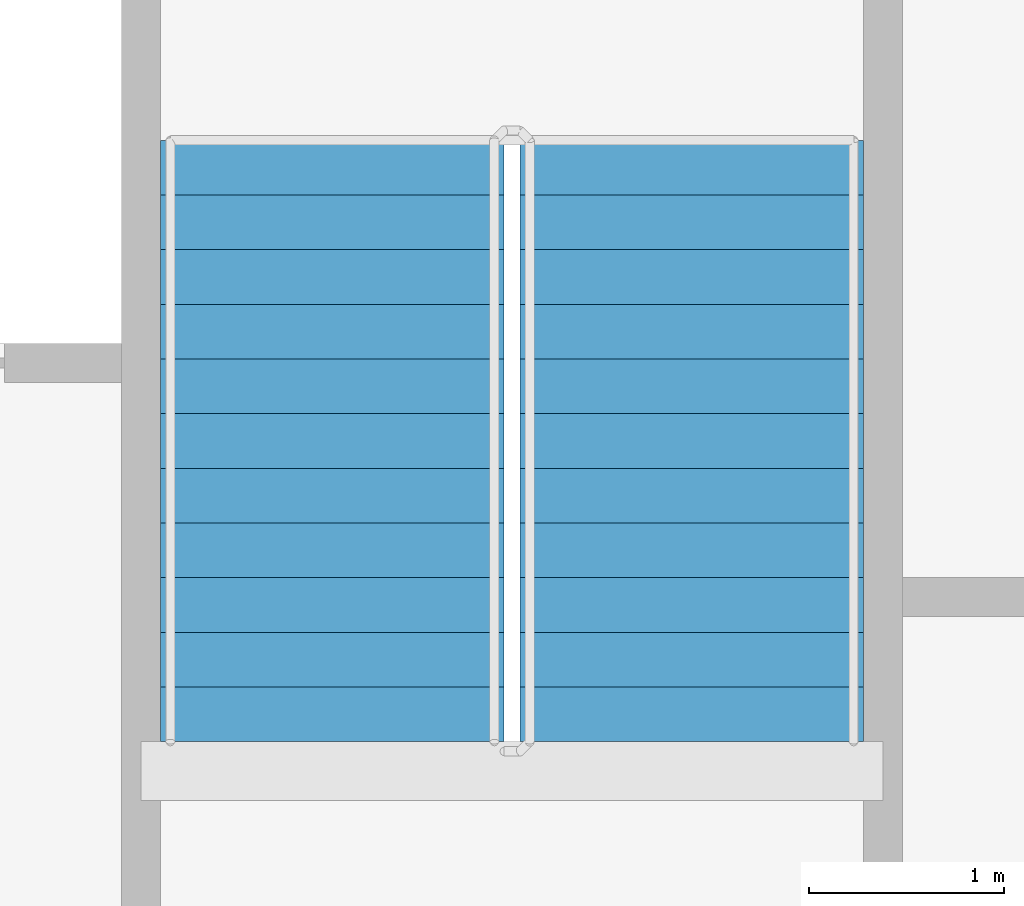
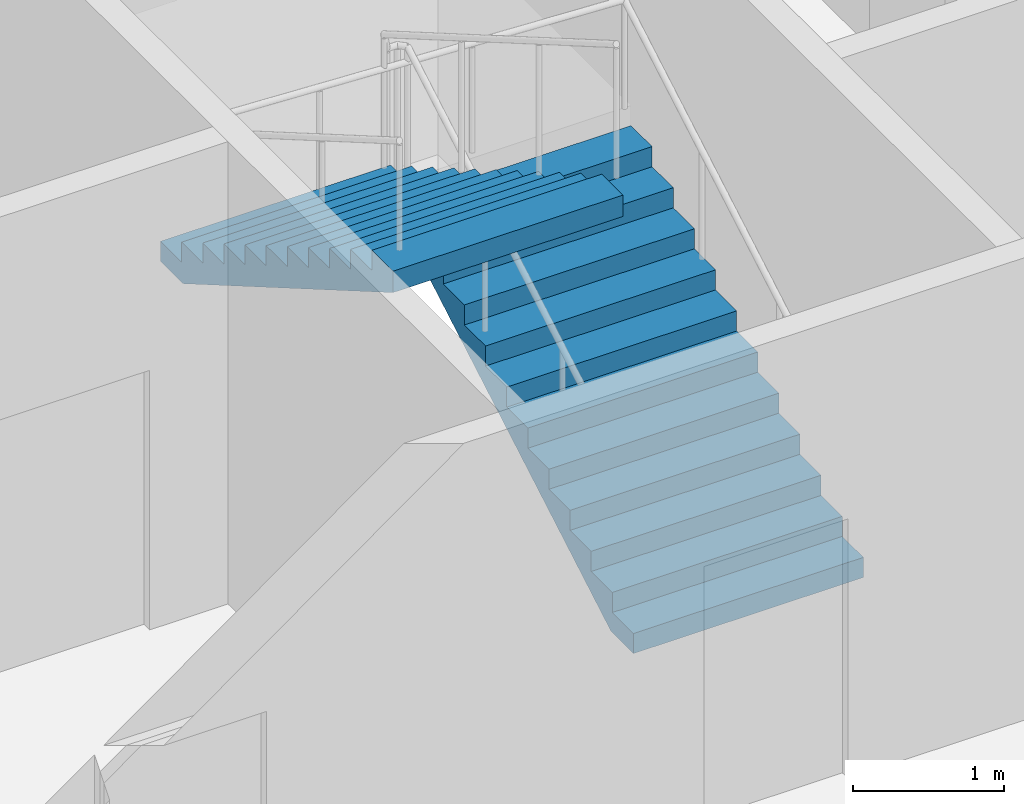
# One storey, part 16 of 21: 2 stair flights, 1 element without a shape of its own.
"""IFC4 building model written with IfcOpenShell, lengths in metres."""

from ifc_helpers import new_model, si_unit, direction, frame, origin, place, context, subcontext, project, spatial, faceted_brep, material, type_object, element, aggregate, save


model = new_model("IFC4")

# Units and contexts
model_context = context("Model", 3, precision=1e-05, world=origin(), true_north=direction((0.0, 1.0)))
body_context = subcontext(model_context, "Body", "Model", "MODEL_VIEW")
ifc_project = project(units=[si_unit("LENGTHUNIT", "METRE"), si_unit("AREAUNIT", "SQUARE_METRE"), si_unit("VOLUMEUNIT", "CUBIC_METRE"), si_unit("PLANEANGLEUNIT", "RADIAN"), si_unit("MASSUNIT", "GRAM", prefix="KILO")], contexts=[model_context])

# Site, building, storey
site_placement = place(None, origin())
site = spatial("IfcSite", under=ifc_project, at=site_placement, CompositionType="ELEMENT")
building_placement = place(site_placement, origin())
building = spatial("IfcBuilding", under=site, at=building_placement, Name="Tarsis Ring Headquarters", CompositionType="ELEMENT")
storey_placement = place(building_placement, frame((0.0, 0.0, 208.199951171875)))
storey = spatial("IfcBuildingStorey", under=building, at=storey_placement, Name="L48", CompositionType="ELEMENT", Elevation=208.199951171875)

# Stair, stair flights
ifc_material_1 = material(Name="Core stair 1760")
stair_type = type_object("IfcStairType", Name="Core stair 1760", PredefinedType="HALF_TURN_STAIR", material=ifc_material_1)
stair_placement = place(storey_placement, origin())
stair = element("IfcStair", 1, at=stair_placement, inside=storey, type_object=stair_type, Name="L48 Exit stair B", PredefinedType="HALF_TURN_STAIR")
ifc_material_2 = material(Name="Concrete C40/50", Category="concrete")
stair_flight_type = type_object("IfcStairFlightType", Name="Core stair flight 1760", PredefinedType="STRAIGHT", material=ifc_material_2)
stair_flight_1_placement = place(storey_placement, frame((5.419921875, 3.659912109375, 0.0), z_axis=(0.0, 0.0, 1.0), x_axis=(0.0, 1.0, 0.0)))
stair_flight_1 = element("IfcStairFlight", 2, at=stair_flight_1_placement, type_object=stair_flight_type, Name="Stair ST2 flight 1", NumberOfRisers=12, NumberOfTreads=11, PredefinedType="STRAIGHT", RiserHeight=0.1625, TreadLength=0.28, context=body_context, shape_type="Brep", body=[
    faceted_brep([(0.0, 0.8798828125, 0.0), (0.0, 0.8798828125, 0.16259765625), (0.280029296875, 0.8798828125, 0.16259765625), (0.280029296875, 0.8798828125, 0.324951171875), (0.56005859375, 0.8798828125, 0.324951171875), (0.56005859375, 0.8798828125, 0.487548828125), (0.840087890625, 0.8798828125, 0.487548828125), (0.840087890625, 0.8798828125, 0.64990234375), (1.1201171875, 0.8798828125, 0.64990234375), (1.1201171875, 0.8798828125, 0.8125), (1.39990234375, 0.8798828125, 0.8125), (1.39990234375, 0.8798828125, 0.97509765625), (1.679931640625, 0.8798828125, 0.97509765625), (1.679931640625, 0.8798828125, 1.137451171875), (1.9599609375, 0.8798828125, 1.137451171875), (1.9599609375, 0.8798828125, 1.300048828125), (2.239990234375, 0.8798828125, 1.300048828125), (2.239990234375, 0.8798828125, 1.46240234375), (2.52001953125, 0.8798828125, 1.46240234375), (2.52001953125, 0.8798828125, 1.625), (2.800048828125, 0.8798828125, 1.625), (2.800048828125, 0.8798828125, 1.78759765625), (3.080078125, 0.8798828125, 1.78759765625), (3.080078125, 0.8798828125, 1.6142578125), (0.298583984375, 0.8798828125, 0.0), (0.298583984375, -0.8798828125, 0.0), (3.080078125, -0.8798828125, 1.6142578125), (3.080078125, -0.8798828125, 1.78759765625), (2.800048828125, -0.8798828125, 1.78759765625), (2.800048828125, -0.8798828125, 1.625), (2.52001953125, -0.8798828125, 1.625), (2.52001953125, -0.8798828125, 1.46240234375), (2.239990234375, -0.8798828125, 1.46240234375), (2.239990234375, -0.8798828125, 1.300048828125), (1.9599609375, -0.8798828125, 1.300048828125), (1.9599609375, -0.8798828125, 1.137451171875), (1.679931640625, -0.8798828125, 1.137451171875), (1.679931640625, -0.8798828125, 0.97509765625), (1.39990234375, -0.8798828125, 0.97509765625), (1.39990234375, -0.8798828125, 0.8125), (1.1201171875, -0.8798828125, 0.8125), (1.1201171875, -0.8798828125, 0.64990234375), (0.840087890625, -0.8798828125, 0.64990234375), (0.840087890625, -0.8798828125, 0.487548828125), (0.56005859375, -0.8798828125, 0.487548828125), (0.56005859375, -0.8798828125, 0.324951171875), (0.280029296875, -0.8798828125, 0.324951171875), (0.280029296875, -0.8798828125, 0.16259765625), (0.0, -0.8798828125, 0.16259765625), (0.0, -0.8798828125, 0.0), (0.0, -0.43994140625, 0.16259765625), (0.0, -0.43994140625, 0.0), (0.0, 0.0, 0.16259765625), (0.0, 0.0, 0.0), (0.0, 0.43994140625, 0.16259765625), (0.0, 0.43994140625, 0.0), (0.280029296875, -0.43994140625, 0.16259765625), (0.280029296875, 0.0, 0.16259765625), (0.280029296875, 0.43994140625, 0.16259765625), (0.280029296875, -0.43994140625, 0.324951171875), (0.280029296875, 0.0, 0.324951171875), (0.280029296875, 0.43994140625, 0.324951171875), (0.56005859375, -0.43994140625, 0.324951171875), (0.56005859375, 0.0, 0.324951171875), (0.56005859375, 0.43994140625, 0.324951171875), (0.56005859375, -0.43994140625, 0.487548828125), (0.56005859375, 0.0, 0.487548828125), (0.56005859375, 0.43994140625, 0.487548828125), (0.840087890625, -0.43994140625, 0.487548828125), (0.840087890625, 0.0, 0.487548828125), (0.840087890625, 0.43994140625, 0.487548828125), (0.840087890625, -0.43994140625, 0.64990234375), (0.840087890625, 0.0, 0.64990234375), (0.840087890625, 0.43994140625, 0.64990234375), (1.1201171875, -0.43994140625, 0.64990234375), (1.1201171875, 0.0, 0.64990234375), (1.1201171875, 0.43994140625, 0.64990234375), (1.1201171875, -0.43994140625, 0.8125), (1.1201171875, 0.0, 0.8125), (1.1201171875, 0.43994140625, 0.8125), (1.39990234375, -0.43994140625, 0.8125), (1.39990234375, 0.0, 0.8125), (1.39990234375, 0.43994140625, 0.8125), (1.39990234375, -0.43994140625, 0.97509765625), (1.39990234375, 0.0, 0.97509765625), (1.39990234375, 0.43994140625, 0.97509765625), (1.679931640625, -0.43994140625, 0.97509765625), (1.679931640625, 0.0, 0.97509765625), (1.679931640625, 0.43994140625, 0.97509765625), (1.679931640625, -0.43994140625, 1.137451171875), (1.679931640625, 0.0, 1.137451171875), (1.679931640625, 0.43994140625, 1.137451171875), (1.9599609375, -0.43994140625, 1.137451171875), (1.9599609375, 0.0, 1.137451171875), (1.9599609375, 0.43994140625, 1.137451171875), (1.9599609375, -0.43994140625, 1.300048828125), (1.9599609375, 0.0, 1.300048828125), (1.9599609375, 0.43994140625, 1.300048828125), (2.239990234375, -0.43994140625, 1.300048828125), (2.239990234375, 0.0, 1.300048828125), (2.239990234375, 0.43994140625, 1.300048828125), (2.239990234375, -0.43994140625, 1.46240234375), (2.239990234375, 0.0, 1.46240234375), (2.239990234375, 0.43994140625, 1.46240234375), (2.52001953125, -0.43994140625, 1.46240234375), (2.52001953125, 0.0, 1.46240234375), (2.52001953125, 0.43994140625, 1.46240234375), (2.52001953125, -0.43994140625, 1.625), (2.52001953125, 0.0, 1.625), (2.52001953125, 0.43994140625, 1.625), (2.800048828125, -0.43994140625, 1.625), (2.800048828125, 0.0, 1.625), (2.800048828125, 0.43994140625, 1.625), (2.800048828125, -0.43994140625, 1.78759765625), (2.800048828125, 0.0, 1.78759765625), (2.800048828125, 0.43994140625, 1.78759765625), (3.080078125, -0.43994140625, 1.78759765625), (3.080078125, 0.0, 1.78759765625), (3.080078125, 0.43994140625, 1.78759765625), (3.080078125, -0.43994140625, 1.6142578125), (3.080078125, 0.0, 1.6142578125), (3.080078125, 0.43994140625, 1.6142578125), (0.298583984375, -0.43994140625, 0.0), (0.298583984375, 0.0, 0.0), (0.298583984375, 0.43994140625, 0.0)], [[[0, 1, 2, 3, 4, 5, 6, 7, 8, 9, 10, 11, 12, 13, 14, 15, 16, 17, 18, 19, 20, 21, 22, 23, 24]], [[25, 26, 27, 28, 29, 30, 31, 32, 33, 34, 35, 36, 37, 38, 39, 40, 41, 42, 43, 44, 45, 46, 47, 48, 49]], [[49, 48, 50, 51]], [[51, 50, 52, 53]], [[53, 52, 54, 55]], [[55, 54, 1, 0]], [[48, 47, 56, 50]], [[50, 56, 57, 52]], [[52, 57, 58, 54]], [[54, 58, 2, 1]], [[47, 46, 59, 56]], [[56, 59, 60, 57]], [[57, 60, 61, 58]], [[58, 61, 3, 2]], [[46, 45, 62, 59]], [[59, 62, 63, 60]], [[60, 63, 64, 61]], [[61, 64, 4, 3]], [[45, 44, 65, 62]], [[62, 65, 66, 63]], [[63, 66, 67, 64]], [[64, 67, 5, 4]], [[44, 43, 68, 65]], [[65, 68, 69, 66]], [[66, 69, 70, 67]], [[67, 70, 6, 5]], [[43, 42, 71, 68]], [[68, 71, 72, 69]], [[69, 72, 73, 70]], [[70, 73, 7, 6]], [[42, 41, 74, 71]], [[71, 74, 75, 72]], [[72, 75, 76, 73]], [[73, 76, 8, 7]], [[41, 40, 77, 74]], [[74, 77, 78, 75]], [[75, 78, 79, 76]], [[76, 79, 9, 8]], [[40, 39, 80, 77]], [[77, 80, 81, 78]], [[78, 81, 82, 79]], [[79, 82, 10, 9]], [[39, 38, 83, 80]], [[80, 83, 84, 81]], [[81, 84, 85, 82]], [[82, 85, 11, 10]], [[38, 37, 86, 83]], [[83, 86, 87, 84]], [[84, 87, 88, 85]], [[85, 88, 12, 11]], [[37, 36, 89, 86]], [[86, 89, 90, 87]], [[87, 90, 91, 88]], [[88, 91, 13, 12]], [[36, 35, 92, 89]], [[89, 92, 93, 90]], [[90, 93, 94, 91]], [[91, 94, 14, 13]], [[35, 34, 95, 92]], [[92, 95, 96, 93]], [[93, 96, 97, 94]], [[94, 97, 15, 14]], [[34, 33, 98, 95]], [[95, 98, 99, 96]], [[96, 99, 100, 97]], [[97, 100, 16, 15]], [[33, 32, 101, 98]], [[98, 101, 102, 99]], [[99, 102, 103, 100]], [[100, 103, 17, 16]], [[32, 31, 104, 101]], [[101, 104, 105, 102]], [[102, 105, 106, 103]], [[103, 106, 18, 17]], [[31, 30, 107, 104]], [[104, 107, 108, 105]], [[105, 108, 109, 106]], [[106, 109, 19, 18]], [[30, 29, 110, 107]], [[107, 110, 111, 108]], [[108, 111, 112, 109]], [[109, 112, 20, 19]], [[29, 28, 113, 110]], [[110, 113, 114, 111]], [[111, 114, 115, 112]], [[112, 115, 21, 20]], [[28, 27, 116, 113]], [[113, 116, 117, 114]], [[114, 117, 118, 115]], [[115, 118, 22, 21]], [[27, 26, 119, 116]], [[116, 119, 120, 117]], [[117, 120, 121, 118]], [[118, 121, 23, 22]], [[26, 25, 122, 119]], [[119, 122, 123, 120]], [[120, 123, 124, 121]], [[121, 124, 24, 23]], [[25, 49, 51, 122]], [[122, 51, 53, 123]], [[123, 53, 55, 124]], [[124, 55, 0, 24]]]),
])
stair_flight_2_placement = place(storey_placement, frame((3.580078125, 6.739990234375, 1.949951171875), z_axis=(0.0, 0.0, 1.0), x_axis=(0.0, -1.0, 0.0)))
stair_flight_2 = element("IfcStairFlight", 3, at=stair_flight_2_placement, type_object=stair_flight_type, Name="Stair ST2 flight 2", NumberOfRisers=12, NumberOfTreads=11, PredefinedType="STRAIGHT", RiserHeight=0.1625, TreadLength=0.28, context=body_context, shape_type="Brep", body=[
    faceted_brep([(0.0, 0.8798828125, 0.0), (0.0, 0.8798828125, 0.16259765625), (0.280029296875, 0.8798828125, 0.16259765625), (0.280029296875, 0.8798828125, 0.324951171875), (0.56005859375, 0.8798828125, 0.324951171875), (0.56005859375, 0.8798828125, 0.487548828125), (0.840087890625, 0.8798828125, 0.487548828125), (0.840087890625, 0.8798828125, 0.64990234375), (1.1201171875, 0.8798828125, 0.64990234375), (1.1201171875, 0.8798828125, 0.8125), (1.39990234375, 0.8798828125, 0.8125), (1.39990234375, 0.8798828125, 0.97509765625), (1.679931640625, 0.8798828125, 0.97509765625), (1.679931640625, 0.8798828125, 1.137451171875), (1.9599609375, 0.8798828125, 1.137451171875), (1.9599609375, 0.8798828125, 1.300048828125), (2.239990234375, 0.8798828125, 1.300048828125), (2.239990234375, 0.8798828125, 1.46240234375), (2.52001953125, 0.8798828125, 1.46240234375), (2.52001953125, 0.8798828125, 1.625), (2.800048828125, 0.8798828125, 1.625), (2.800048828125, 0.8798828125, 1.78759765625), (3.080078125, 0.8798828125, 1.78759765625), (3.080078125, 0.8798828125, 1.6142578125), (0.298583984375, 0.8798828125, 0.0), (0.298583984375, -0.8798828125, 0.0), (3.080078125, -0.8798828125, 1.6142578125), (3.080078125, -0.8798828125, 1.78759765625), (2.800048828125, -0.8798828125, 1.78759765625), (2.800048828125, -0.8798828125, 1.625), (2.52001953125, -0.8798828125, 1.625), (2.52001953125, -0.8798828125, 1.46240234375), (2.239990234375, -0.8798828125, 1.46240234375), (2.239990234375, -0.8798828125, 1.300048828125), (1.9599609375, -0.8798828125, 1.300048828125), (1.9599609375, -0.8798828125, 1.137451171875), (1.679931640625, -0.8798828125, 1.137451171875), (1.679931640625, -0.8798828125, 0.97509765625), (1.39990234375, -0.8798828125, 0.97509765625), (1.39990234375, -0.8798828125, 0.8125), (1.1201171875, -0.8798828125, 0.8125), (1.1201171875, -0.8798828125, 0.64990234375), (0.840087890625, -0.8798828125, 0.64990234375), (0.840087890625, -0.8798828125, 0.487548828125), (0.56005859375, -0.8798828125, 0.487548828125), (0.56005859375, -0.8798828125, 0.324951171875), (0.280029296875, -0.8798828125, 0.324951171875), (0.280029296875, -0.8798828125, 0.16259765625), (0.0, -0.8798828125, 0.16259765625), (0.0, -0.8798828125, 0.0), (0.0, -0.43994140625, 0.16259765625), (0.0, -0.43994140625, 0.0), (0.0, 0.0, 0.16259765625), (0.0, 0.0, 0.0), (0.0, 0.43994140625, 0.16259765625), (0.0, 0.43994140625, 0.0), (0.280029296875, -0.43994140625, 0.16259765625), (0.280029296875, 0.0, 0.16259765625), (0.280029296875, 0.43994140625, 0.16259765625), (0.280029296875, -0.43994140625, 0.324951171875), (0.280029296875, 0.0, 0.324951171875), (0.280029296875, 0.43994140625, 0.324951171875), (0.56005859375, -0.43994140625, 0.324951171875), (0.56005859375, 0.0, 0.324951171875), (0.56005859375, 0.43994140625, 0.324951171875), (0.56005859375, -0.43994140625, 0.487548828125), (0.56005859375, 0.0, 0.487548828125), (0.56005859375, 0.43994140625, 0.487548828125), (0.840087890625, -0.43994140625, 0.487548828125), (0.840087890625, 0.0, 0.487548828125), (0.840087890625, 0.43994140625, 0.487548828125), (0.840087890625, -0.43994140625, 0.64990234375), (0.840087890625, 0.0, 0.64990234375), (0.840087890625, 0.43994140625, 0.64990234375), (1.1201171875, -0.43994140625, 0.64990234375), (1.1201171875, 0.0, 0.64990234375), (1.1201171875, 0.43994140625, 0.64990234375), (1.1201171875, -0.43994140625, 0.8125), (1.1201171875, 0.0, 0.8125), (1.1201171875, 0.43994140625, 0.8125), (1.39990234375, -0.43994140625, 0.8125), (1.39990234375, 0.0, 0.8125), (1.39990234375, 0.43994140625, 0.8125), (1.39990234375, -0.43994140625, 0.97509765625), (1.39990234375, 0.0, 0.97509765625), (1.39990234375, 0.43994140625, 0.97509765625), (1.679931640625, -0.43994140625, 0.97509765625), (1.679931640625, 0.0, 0.97509765625), (1.679931640625, 0.43994140625, 0.97509765625), (1.679931640625, -0.43994140625, 1.137451171875), (1.679931640625, 0.0, 1.137451171875), (1.679931640625, 0.43994140625, 1.137451171875), (1.9599609375, -0.43994140625, 1.137451171875), (1.9599609375, 0.0, 1.137451171875), (1.9599609375, 0.43994140625, 1.137451171875), (1.9599609375, -0.43994140625, 1.300048828125), (1.9599609375, 0.0, 1.300048828125), (1.9599609375, 0.43994140625, 1.300048828125), (2.239990234375, -0.43994140625, 1.300048828125), (2.239990234375, 0.0, 1.300048828125), (2.239990234375, 0.43994140625, 1.300048828125), (2.239990234375, -0.43994140625, 1.46240234375), (2.239990234375, 0.0, 1.46240234375), (2.239990234375, 0.43994140625, 1.46240234375), (2.52001953125, -0.43994140625, 1.46240234375), (2.52001953125, 0.0, 1.46240234375), (2.52001953125, 0.43994140625, 1.46240234375), (2.52001953125, -0.43994140625, 1.625), (2.52001953125, 0.0, 1.625), (2.52001953125, 0.43994140625, 1.625), (2.800048828125, -0.43994140625, 1.625), (2.800048828125, 0.0, 1.625), (2.800048828125, 0.43994140625, 1.625), (2.800048828125, -0.43994140625, 1.78759765625), (2.800048828125, 0.0, 1.78759765625), (2.800048828125, 0.43994140625, 1.78759765625), (3.080078125, -0.43994140625, 1.78759765625), (3.080078125, 0.0, 1.78759765625), (3.080078125, 0.43994140625, 1.78759765625), (3.080078125, -0.43994140625, 1.6142578125), (3.080078125, 0.0, 1.6142578125), (3.080078125, 0.43994140625, 1.6142578125), (0.298583984375, -0.43994140625, 0.0), (0.298583984375, 0.0, 0.0), (0.298583984375, 0.43994140625, 0.0)], [[[0, 1, 2, 3, 4, 5, 6, 7, 8, 9, 10, 11, 12, 13, 14, 15, 16, 17, 18, 19, 20, 21, 22, 23, 24]], [[25, 26, 27, 28, 29, 30, 31, 32, 33, 34, 35, 36, 37, 38, 39, 40, 41, 42, 43, 44, 45, 46, 47, 48, 49]], [[49, 48, 50, 51]], [[51, 50, 52, 53]], [[53, 52, 54, 55]], [[55, 54, 1, 0]], [[48, 47, 56, 50]], [[50, 56, 57, 52]], [[52, 57, 58, 54]], [[54, 58, 2, 1]], [[47, 46, 59, 56]], [[56, 59, 60, 57]], [[57, 60, 61, 58]], [[58, 61, 3, 2]], [[46, 45, 62, 59]], [[59, 62, 63, 60]], [[60, 63, 64, 61]], [[61, 64, 4, 3]], [[45, 44, 65, 62]], [[62, 65, 66, 63]], [[63, 66, 67, 64]], [[64, 67, 5, 4]], [[44, 43, 68, 65]], [[65, 68, 69, 66]], [[66, 69, 70, 67]], [[67, 70, 6, 5]], [[43, 42, 71, 68]], [[68, 71, 72, 69]], [[69, 72, 73, 70]], [[70, 73, 7, 6]], [[42, 41, 74, 71]], [[71, 74, 75, 72]], [[72, 75, 76, 73]], [[73, 76, 8, 7]], [[41, 40, 77, 74]], [[74, 77, 78, 75]], [[75, 78, 79, 76]], [[76, 79, 9, 8]], [[40, 39, 80, 77]], [[77, 80, 81, 78]], [[78, 81, 82, 79]], [[79, 82, 10, 9]], [[39, 38, 83, 80]], [[80, 83, 84, 81]], [[81, 84, 85, 82]], [[82, 85, 11, 10]], [[38, 37, 86, 83]], [[83, 86, 87, 84]], [[84, 87, 88, 85]], [[85, 88, 12, 11]], [[37, 36, 89, 86]], [[86, 89, 90, 87]], [[87, 90, 91, 88]], [[88, 91, 13, 12]], [[36, 35, 92, 89]], [[89, 92, 93, 90]], [[90, 93, 94, 91]], [[91, 94, 14, 13]], [[35, 34, 95, 92]], [[92, 95, 96, 93]], [[93, 96, 97, 94]], [[94, 97, 15, 14]], [[34, 33, 98, 95]], [[95, 98, 99, 96]], [[96, 99, 100, 97]], [[97, 100, 16, 15]], [[33, 32, 101, 98]], [[98, 101, 102, 99]], [[99, 102, 103, 100]], [[100, 103, 17, 16]], [[32, 31, 104, 101]], [[101, 104, 105, 102]], [[102, 105, 106, 103]], [[103, 106, 18, 17]], [[31, 30, 107, 104]], [[104, 107, 108, 105]], [[105, 108, 109, 106]], [[106, 109, 19, 18]], [[30, 29, 110, 107]], [[107, 110, 111, 108]], [[108, 111, 112, 109]], [[109, 112, 20, 19]], [[29, 28, 113, 110]], [[110, 113, 114, 111]], [[111, 114, 115, 112]], [[112, 115, 21, 20]], [[28, 27, 116, 113]], [[113, 116, 117, 114]], [[114, 117, 118, 115]], [[115, 118, 22, 21]], [[27, 26, 119, 116]], [[116, 119, 120, 117]], [[117, 120, 121, 118]], [[118, 121, 23, 22]], [[26, 25, 122, 119]], [[119, 122, 123, 120]], [[120, 123, 124, 121]], [[121, 124, 24, 23]], [[25, 49, 51, 122]], [[122, 51, 53, 123]], [[123, 53, 55, 124]], [[124, 55, 0, 24]]]),
])
aggregate(stair, [stair_flight_1, stair_flight_2])

save(model, "model.ifc")
